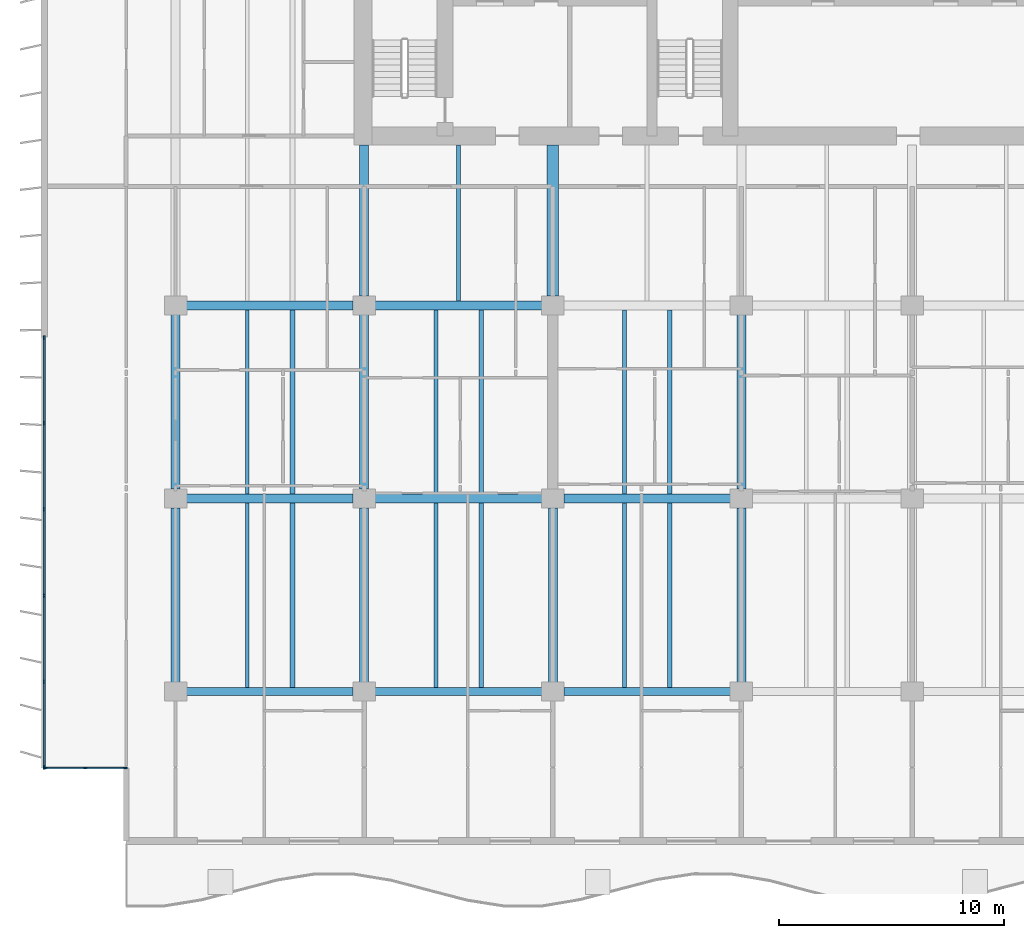
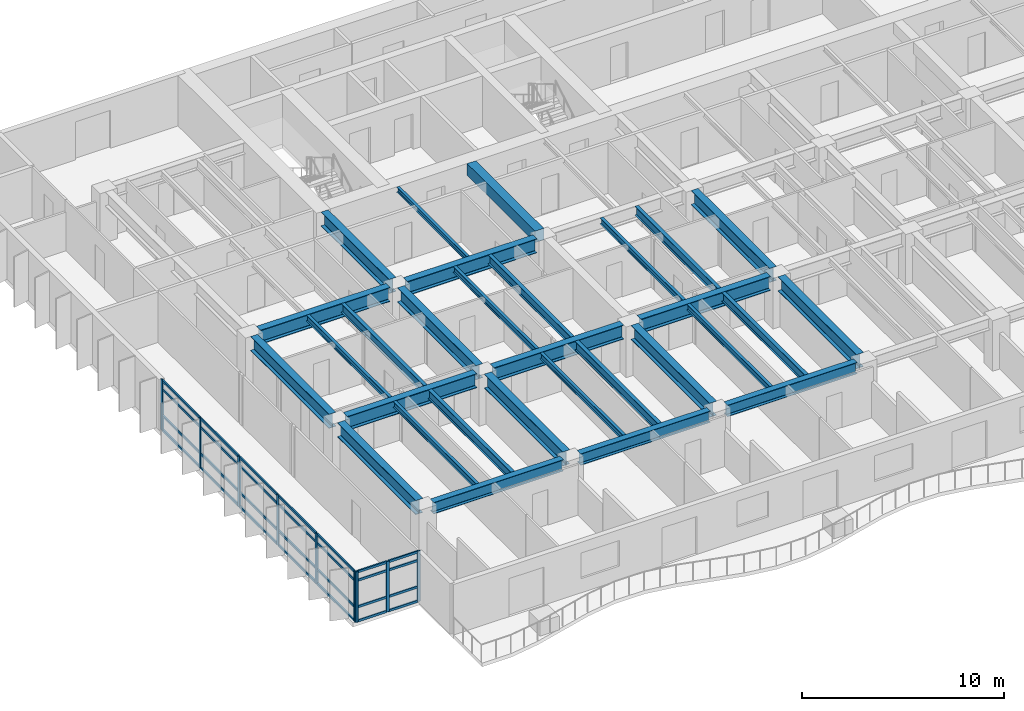
# One storey, part 2 of 18: 37 members, 30 beams, 2 elements without a shape of their own.
"""IFC4 building model written with IfcOpenShell, lengths in metres."""

import ifcopenshell
import ifcopenshell.guid

model = None  # the IFC model being written
_history = None  # IfcOwnerHistory: only IFC2X3 demands one
_inside = {}  # id of a spatial element -> (the spatial element, [elements in it])
_under = {}  # id of a project, library or spatial element -> (it, [spatial elements below it])
_declared = {}  # id of a project -> (the project, [libraries it declares])
_typed = {}  # id of a type object -> (the type object, [elements of that type])
_made_of = {}  # id of a material, layer set ... -> (it, [elements and type objects made of it])


def new_model(schema):
    """Start an empty IFC model of exactly this schema.

    Asked for "IFC4X3", IfcOpenShell would pick the latest addendum, in which some entities
    have other attributes; the version numbers below select the first issue.
    IFC2X3 requires an IfcOwnerHistory on every rooted entity: one is made here for all.
    """
    global model, _history
    if schema == "IFC4X3":
        model = ifcopenshell.file(schema_version=(4, 3, 0, 0))
    else:
        model = ifcopenshell.file(schema=schema)
    _inside.clear()
    _under.clear()
    _declared.clear()
    _typed.clear()
    _made_of.clear()
    _history = None
    if model.schema == "IFC2X3":
        org = make("IfcOrganization", Name="unknown")
        user = make(
            "IfcPersonAndOrganization",
            ThePerson=make("IfcPerson", FamilyName="unknown"),
            TheOrganization=org,
        )
        app = make(
            "IfcApplication",
            ApplicationDeveloper=org,
            Version="unknown",
            ApplicationFullName="unknown",
            ApplicationIdentifier="unknown",
        )
        _history = make(
            "IfcOwnerHistory",
            OwningUser=user,
            OwningApplication=app,
            ChangeAction="ADDED",
            CreationDate=0,
        )
    return model


def make(cls, **values):
    """One entity of the class cls with the attributes given. An attribute that is None is left unset."""
    return model.create_entity(
        cls, **{name: value for name, value in values.items() if value is not None}
    )


def rooted(cls, **values):
    """An entity with a GlobalId (a new one), such as an element, a storey or a relation."""
    return make(cls, GlobalId=ifcopenshell.guid.new(), OwnerHistory=_history, **values)


def si_unit(unit_type, name, prefix=None):
    """IfcSIUnit, for example si_unit("LENGTHUNIT", "METRE", prefix="MILLI")."""
    return make("IfcSIUnit", UnitType=unit_type, Prefix=prefix, Name=name)


def assignment(units):
    """IfcUnitAssignment: the units of a project."""
    return None if units is None else make("IfcUnitAssignment", Units=units)


def point(xyz):
    """IfcCartesianPoint."""
    return None if xyz is None else make("IfcCartesianPoint", Coordinates=xyz)


def direction(xyz):
    """IfcDirection."""
    return None if xyz is None else make("IfcDirection", DirectionRatios=xyz)


def frame(location, z_axis=None, x_axis=None):
    """IfcAxis2Placement3D, a coordinate frame: its origin and axes. An axis left out is left unset."""
    return make(
        "IfcAxis2Placement3D",
        Location=point(location),
        Axis=direction(z_axis),
        RefDirection=direction(x_axis),
    )


def frame_2d(location, x_axis=None):
    """IfcAxis2Placement2D, a coordinate frame in the plane: its origin and x axis."""
    return make(
        "IfcAxis2Placement2D", Location=point(location), RefDirection=direction(x_axis)
    )


def origin():
    """The frame at (0, 0, 0) with its axes left unset."""
    return frame((0.0, 0.0, 0.0))


def origin_2d():
    """The frame at (0, 0) in the plane with its x axis left unset."""
    return frame_2d((0.0, 0.0))


def place(relative_to, where):
    """IfcLocalPlacement: puts the frame where relative to a parent placement (None: the world)."""
    return make(
        "IfcLocalPlacement", PlacementRelTo=relative_to, RelativePlacement=where
    )


def context(
    kind, dimensions, precision=None, world=None, true_north=None, identifier=None
):
    """IfcGeometricRepresentationContext, for example the 3D "Model" context."""
    return make(
        "IfcGeometricRepresentationContext",
        ContextIdentifier=identifier,
        ContextType=kind,
        CoordinateSpaceDimension=dimensions,
        Precision=precision,
        WorldCoordinateSystem=world,
        TrueNorth=true_north,
    )


def subcontext(parent, identifier, kind, view, scale=None):
    """IfcGeometricRepresentationSubContext, for example "Body" below "Model"."""
    return make(
        "IfcGeometricRepresentationSubContext",
        ContextIdentifier=identifier,
        ContextType=kind,
        ParentContext=parent,
        TargetScale=scale,
        TargetView=view,
    )


def project(units=None, contexts=None):
    """IfcProject with its units and contexts."""
    return rooted(
        "IfcProject",
        Name="project",
        RepresentationContexts=contexts,
        UnitsInContext=assignment(units),
    )


def spatial(cls, under=None, at=None, **own):
    """A site, building, storey or space (cls), placed at a placement, below another one or the project."""
    s = rooted(cls, ObjectPlacement=at, **own)
    if under is not None:
        _under.setdefault(under.id(), (under, []))[1].append(s)
    return s


def profile(cls, at=None, kind="AREA", **sizes):
    """A parametric profile (cls). Its sizes go by their IFC names, for example OverallWidth=200.0."""
    return make(cls, ProfileType=kind, Position=at, **sizes)


def rectangle(**sizes):
    """IfcRectangleProfileDef."""
    return profile("IfcRectangleProfileDef", **sizes)


def i_section(**sizes):
    """IfcIShapeProfileDef."""
    return profile("IfcIShapeProfileDef", **sizes)


def extrude(swept, where, along, depth):
    """IfcExtrudedAreaSolid: the profile swept, set in the frame where, extruded along a direction by depth."""
    return make(
        "IfcExtrudedAreaSolid",
        SweptArea=swept,
        Position=where,
        ExtrudedDirection=direction(along),
        Depth=depth,
    )


def shape(context_of_items, identifier, shape_type, items):
    """IfcShapeRepresentation: the items that make up one representation, for example the "Body"."""
    return make(
        "IfcShapeRepresentation",
        ContextOfItems=context_of_items,
        RepresentationIdentifier=identifier,
        RepresentationType=shape_type,
        Items=items,
    )


def material(Name=None, Category=None):
    """IfcMaterial."""
    return make("IfcMaterial", Name=Name, Category=Category)


def layer(
    of_material, thickness, ventilated=None, Name=None, Category=None, Priority=None
):
    """IfcMaterialLayer: one layer of a wall or slab, of a material (None: an air gap)."""
    return make(
        "IfcMaterialLayer",
        Material=of_material,
        LayerThickness=thickness,
        IsVentilated=ventilated,
        Name=Name,
        Category=Category,
        Priority=Priority,
    )


def layer_set(layers, Name=None):
    """IfcMaterialLayerSet."""
    return make("IfcMaterialLayerSet", MaterialLayers=layers, LayerSetName=Name)


def material_profile(
    of_material, cross_section, Name=None, Category=None, Priority=None
):
    """IfcMaterialProfile: a cross section and its material."""
    return make(
        "IfcMaterialProfile",
        Name=Name,
        Material=of_material,
        Profile=cross_section,
        Priority=Priority,
        Category=Category,
    )


def profile_set(profiles, Name=None, composite=None):
    """IfcMaterialProfileSet."""
    return make(
        "IfcMaterialProfileSet",
        Name=Name,
        MaterialProfiles=profiles,
        CompositeProfile=composite,
    )


def made_of(thing, what):
    """Note that an element or type object is made of a material, layer set ...; save() writes the relation."""
    if what is not None:
        _made_of.setdefault(what.id(), (what, []))[1].append(thing)
    return thing


def type_object(cls, material=None, **own):
    """A type object (cls), such as IfcWallType, which elements share."""
    return made_of(rooted(cls, **own), material)


def element(
    cls,
    number,
    at=None,
    inside=None,
    cuts=None,
    type_object=None,
    material=None,
    context=None,
    identifier="Body",
    shape_type=None,
    held_by="IfcProductDefinitionShape",
    body=None,
    shapes=None,
    **own,
):
    """One element of the class cls, such as IfcWall. Its Tag is "e" and its number.

    at: its placement. inside: the storey or other place that contains it. cuts: it is an
    opening in that element (IfcRelVoidsElement). A single representation is given by context,
    identifier, shape_type and body (its items); several are given by shapes. held_by: the class
    of the entity that holds the representations. save() writes the other relations.
    """
    e = rooted(cls, Tag="e%d" % number, ObjectPlacement=at, **own)
    if body is not None:
        shapes = [shape(context, identifier, shape_type, body)]
    if shapes is not None:
        e.Representation = make(held_by, Representations=shapes)
    if inside is not None:
        _inside.setdefault(inside.id(), (inside, []))[1].append(e)
    if cuts is not None:
        rooted(
            "IfcRelVoidsElement", RelatingBuildingElement=cuts, RelatedOpeningElement=e
        )
    if type_object is not None:
        _typed.setdefault(type_object.id(), (type_object, []))[1].append(e)
    return made_of(e, material)


def aggregate(whole, parts):
    """IfcRelAggregates: a whole, such as a stair, and the parts it consists of."""
    return rooted("IfcRelAggregates", RelatingObject=whole, RelatedObjects=parts)


def save(model, path):
    """Write the relations noted so far, then the file.

    IfcRelAggregates (storeys below a building ...), IfcRelContainedInSpatialStructure (elements
    in a storey), IfcRelDefinesByType, IfcRelAssociatesMaterial and IfcRelDeclares: one each for
    every whole, place, type object, material and project.
    """
    for whole, parts in _under.values():
        aggregate(whole, parts)
    for where, things in _inside.values():
        rooted(
            "IfcRelContainedInSpatialStructure",
            RelatedElements=things,
            RelatingStructure=where,
        )
    for kind, things in _typed.values():
        rooted("IfcRelDefinesByType", RelatedObjects=things, RelatingType=kind)
    for what, things in _made_of.values():
        rooted("IfcRelAssociatesMaterial", RelatedObjects=things, RelatingMaterial=what)
    for by, libraries in _declared.values():
        rooted("IfcRelDeclares", RelatingContext=by, RelatedDefinitions=libraries)
    model.write(path)


model = new_model("IFC4")

# Units and contexts
model_context = context("Model", 3, precision=1e-05, world=origin(), true_north=direction((0.0, 1.0)))
body_context = subcontext(model_context, "Body", "Model", "MODEL_VIEW")
ifc_project = project(units=[si_unit("LENGTHUNIT", "METRE"), si_unit("AREAUNIT", "SQUARE_METRE"), si_unit("VOLUMEUNIT", "CUBIC_METRE"), si_unit("PLANEANGLEUNIT", "RADIAN"), si_unit("MASSUNIT", "GRAM", prefix="KILO")], contexts=[model_context])

# Site, building, storey
site_placement = place(None, origin())
site = spatial("IfcSite", under=ifc_project, at=site_placement, CompositionType="ELEMENT")
building_placement = place(site_placement, origin())
building = spatial("IfcBuilding", under=site, at=building_placement, Name="Caelmar Bay Residences", CompositionType="ELEMENT")
storey_placement = place(building_placement, frame((0.0, 0.0, 129.0)))
storey = spatial("IfcBuildingStorey", under=building, at=storey_placement, Name="L35", CompositionType="ELEMENT", Elevation=129.0)

# Beams
ifc_material_1 = material(Name="Steel ASTM A992 Grade 50", Category="steel")
ifc_material_profile_1 = material_profile(ifc_material_1, i_section(OverallWidth=0.40087890625, OverallDepth=0.861083984375, WebThickness=0.019775390625, FlangeThickness=0.032470703125, FilletRadius=0.017822265625, at=origin_2d()), Name="W33X221")
ifc_profile_set_1 = profile_set([ifc_material_profile_1], Name="Steel ASTM A992 Grade 50")
beam_type_1 = type_object("IfcBeamType", Name="BM-GRD-W33X221", PredefinedType="BEAM", material=ifc_profile_set_1)
beam_1_placement = place(storey_placement, frame((10.389892578125, 20.800048828125, 2.619384765625), z_axis=(1.0, 0.0, 0.0), x_axis=(0.0, 1.0, 0.0)))
element("IfcBeam", 1, at=beam_1_placement, inside=storey, type_object=beam_type_1, Name="L35 East-West Girder Y=20.80 (9.9-18.3)", PredefinedType="BEAM", context=body_context, shape_type="SweptSolid", body=[
    extrude(i_section(OverallWidth=0.40087890625, OverallDepth=0.861083984375, WebThickness=0.019775390625, FlangeThickness=0.032470703125, FilletRadius=0.017822265625, at=origin_2d()), origin(), (0.0, 0.0, 1.0), 7.420166015625),
])
beam_2_placement = place(storey_placement, frame((18.7900390625, 20.800048828125, 2.619384765625), z_axis=(1.0, 0.0, 0.0), x_axis=(0.0, 1.0, 0.0)))
element("IfcBeam", 2, at=beam_2_placement, inside=storey, type_object=beam_type_1, Name="L35 East-West Girder Y=20.80 (18.3-26.7)", PredefinedType="BEAM", context=body_context, shape_type="SweptSolid", body=[
    extrude(i_section(OverallWidth=0.40087890625, OverallDepth=0.861083984375, WebThickness=0.019775390625, FlangeThickness=0.032470703125, FilletRadius=0.017822265625, at=origin_2d()), origin(), (0.0, 0.0, 1.0), 7.419921875),
])
for number, where, z_axis, x_axis, name in (
    (3, (27.18994140625, 20.800048828125, 2.619384765625), (1.0, 0.0, 0.0), (0.0, 1.0, 0.0), "L35 East-West Girder Y=20.80 (26.7-35.1)"),
    (4, (10.389892578125, 29.39990234375, 2.619384765625), (1.0, 0.0, 0.0), (0.0, 1.0, 0.0), "L35 East-West Girder Y=29.40 (9.9-18.3)"),
):
    element("IfcBeam", number, at=place(storey_placement, frame(where, z_axis=z_axis, x_axis=x_axis)), inside=storey, type_object=beam_type_1, Name=name, PredefinedType="BEAM", context=body_context, shape_type="SweptSolid", body=[
        extrude(i_section(OverallWidth=0.40087890625, OverallDepth=0.861083984375, WebThickness=0.019775390625, FlangeThickness=0.032470703125, FilletRadius=0.017822265625, at=origin_2d()), origin(), (0.0, 0.0, 1.0), 7.420166015625),
    ])
beam_3_placement = place(storey_placement, frame((18.7900390625, 29.39990234375, 2.619384765625), z_axis=(1.0, 0.0, 0.0), x_axis=(0.0, 1.0, 0.0)))
element("IfcBeam", 5, at=beam_3_placement, inside=storey, type_object=beam_type_1, Name="L35 East-West Girder Y=29.40 (18.3-26.7)", PredefinedType="BEAM", context=body_context, shape_type="SweptSolid", body=[
    extrude(i_section(OverallWidth=0.40087890625, OverallDepth=0.861083984375, WebThickness=0.019775390625, FlangeThickness=0.032470703125, FilletRadius=0.017822265625, at=origin_2d()), origin(), (0.0, 0.0, 1.0), 7.419921875),
])
for number, where, z_axis, x_axis, name in (
    (6, (9.89990234375, 12.614990234375, 2.619384765625), (0.0, 1.0, 0.0), (-1.0, 0.0, 0.0), "L35 North-South Girder X=9.90 (12.2-20.8)"),
    (7, (9.89990234375, 21.215087890625, 2.619384765625), (0.0, 1.0, 0.0), (-1.0, 0.0, 0.0), "L35 North-South Girder X=9.90 (20.8-29.4)"),
):
    element("IfcBeam", number, at=place(storey_placement, frame(where, z_axis=z_axis, x_axis=x_axis)), inside=storey, type_object=beam_type_1, Name=name, PredefinedType="BEAM", context=body_context, shape_type="SweptSolid", body=[
        extrude(i_section(OverallWidth=0.40087890625, OverallDepth=0.861083984375, WebThickness=0.019775390625, FlangeThickness=0.032470703125, FilletRadius=0.017822265625, at=origin_2d()), origin(), (0.0, 0.0, 1.0), 7.77001953125),
    ])
beam_4_placement = place(storey_placement, frame((18.300048828125, 29.81494140625, 2.619384765625), z_axis=(0.0, 1.0, 0.0), x_axis=(-1.0, 0.0, 0.0)))
element("IfcBeam", 8, at=beam_4_placement, inside=storey, type_object=beam_type_1, Name="L35 Core Tie Girder X=18.30", PredefinedType="BEAM", context=body_context, shape_type="SweptSolid", body=[
    extrude(i_section(OverallWidth=0.40087890625, OverallDepth=0.861083984375, WebThickness=0.019775390625, FlangeThickness=0.032470703125, FilletRadius=0.017822265625, at=origin_2d()), origin(), (0.0, 0.0, 1.0), 6.735107421875),
])
for number, where, z_axis, x_axis, name in (
    (9, (18.300048828125, 12.614990234375, 2.619384765625), (0.0, 1.0, 0.0), (-1.0, 0.0, 0.0), "L35 North-South Girder X=18.30 (12.2-20.8)"),
    (10, (18.300048828125, 21.215087890625, 2.619384765625), (0.0, 1.0, 0.0), (-1.0, 0.0, 0.0), "L35 North-South Girder X=18.30 (20.8-29.4)"),
    (11, (26.699951171875, 12.614990234375, 2.619384765625), (0.0, 1.0, 0.0), (-1.0, 0.0, 0.0), "L35 North-South Girder X=26.70 (12.2-20.8)"),
    (12, (35.10009765625, 12.614990234375, 2.619384765625), (0.0, 1.0, 0.0), (-1.0, 0.0, 0.0), "L35 North-South Girder X=35.10 (12.2-20.8)"),
    (13, (35.10009765625, 21.215087890625, 2.619384765625), (0.0, 1.0, 0.0), (-1.0, 0.0, 0.0), "L35 North-South Girder X=35.10 (20.8-29.4)"),
):
    element("IfcBeam", number, at=place(storey_placement, frame(where, z_axis=z_axis, x_axis=x_axis)), inside=storey, type_object=beam_type_1, Name=name, PredefinedType="BEAM", context=body_context, shape_type="SweptSolid", body=[
        extrude(i_section(OverallWidth=0.40087890625, OverallDepth=0.861083984375, WebThickness=0.019775390625, FlangeThickness=0.032470703125, FilletRadius=0.017822265625, at=origin_2d()), origin(), (0.0, 0.0, 1.0), 7.77001953125),
    ])
ifc_material_profile_2 = material_profile(ifc_material_1, i_section(OverallWidth=0.1650390625, OverallDepth=0.31005859375, WebThickness=0.005859375, FlangeThickness=0.009765625, FilletRadius=0.007568359375, at=origin_2d()), Name="W12X26")
ifc_profile_set_2 = profile_set([ifc_material_profile_2], Name="Steel ASTM A992 Grade 50")
beam_type_2 = type_object("IfcBeamType", Name="BM-JST-W12X26", PredefinedType="JOIST", material=ifc_profile_set_2)
beam_5_placement = place(storey_placement, frame((22.5, 29.6005859375, 2.89501953125), z_axis=(0.0, 1.0, 0.0), x_axis=(-1.0, 0.0, 0.0)))
element("IfcBeam", 14, at=beam_5_placement, inside=storey, type_object=beam_type_2, Name="L35 Core-Band Composite Joist 29", PredefinedType="JOIST", context=body_context, shape_type="SweptSolid", body=[
    extrude(i_section(OverallWidth=0.1650390625, OverallDepth=0.31005859375, WebThickness=0.005859375, FlangeThickness=0.009765625, FilletRadius=0.007568359375, at=origin_2d()), origin(), (0.0, 0.0, 1.0), 6.949462890625),
])
ifc_material_profile_3 = material_profile(ifc_material_1, i_section(OverallWidth=0.1708984375, OverallDepth=0.35595703125, WebThickness=0.007080078125, FlangeThickness=0.01171875, FilletRadius=0.007568359375, at=origin_2d()), Name="W14X34")
ifc_profile_set_3 = profile_set([ifc_material_profile_3], Name="Steel ASTM A992 Grade 50")
beam_type_3 = type_object("IfcBeamType", Name="BM-JST-W14X34", PredefinedType="JOIST", material=ifc_profile_set_3)
for number, where, z_axis, x_axis, name in (
    (15, (13.092041015625, 12.3779296875, 2.8720703125), (0.0, 1.0, 0.0), (-1.0, 0.0, 0.0), "L35 Composite Floor Joist 1"),
    (16, (21.491943359375, 12.3779296875, 2.8720703125), (0.0, 1.0, 0.0), (-1.0, 0.0, 0.0), "L35 Composite Floor Joist 3"),
    (17, (29.89208984375, 12.3779296875, 2.8720703125), (0.0, 1.0, 0.0), (-1.0, 0.0, 0.0), "L35 Composite Floor Joist 5"),
):
    element("IfcBeam", number, at=place(storey_placement, frame(where, z_axis=z_axis, x_axis=x_axis)), inside=storey, type_object=beam_type_3, Name=name, PredefinedType="JOIST", context=body_context, shape_type="SweptSolid", body=[
        extrude(i_section(OverallWidth=0.1708984375, OverallDepth=0.35595703125, WebThickness=0.007080078125, FlangeThickness=0.01171875, FilletRadius=0.007568359375, at=origin_2d()), origin(), (0.0, 0.0, 1.0), 8.2216796875),
    ])
for number, where, z_axis, x_axis, name in (
    (18, (13.092041015625, 21.00048828125, 2.8720703125), (0.0, 1.0, 0.0), (-1.0, 0.0, 0.0), "L35 Composite Floor Joist 15"),
    (19, (21.491943359375, 21.00048828125, 2.8720703125), (0.0, 1.0, 0.0), (-1.0, 0.0, 0.0), "L35 Composite Floor Joist 17"),
    (20, (29.89208984375, 21.00048828125, 2.8720703125), (0.0, 1.0, 0.0), (-1.0, 0.0, 0.0), "L35 Composite Floor Joist 19"),
):
    element("IfcBeam", number, at=place(storey_placement, frame(where, z_axis=z_axis, x_axis=x_axis)), inside=storey, type_object=beam_type_3, Name=name, PredefinedType="JOIST", context=body_context, shape_type="SweptSolid", body=[
        extrude(i_section(OverallWidth=0.1708984375, OverallDepth=0.35595703125, WebThickness=0.007080078125, FlangeThickness=0.01171875, FilletRadius=0.007568359375, at=origin_2d()), origin(), (0.0, 0.0, 1.0), 8.198974609375),
    ])
ifc_material_profile_4 = material_profile(ifc_material_1, i_section(OverallWidth=0.2099609375, OverallDepth=0.535888671875, WebThickness=0.010986328125, FlangeThickness=0.017333984375, FilletRadius=0.0126953125, at=origin_2d()), Name="W21X68")
ifc_profile_set_4 = profile_set([ifc_material_profile_4], Name="Steel ASTM A992 Grade 50")
beam_type_4 = type_object("IfcBeamType", Name="BM-JST-W21X68", PredefinedType="JOIST", material=ifc_profile_set_4)
for number, where, z_axis, x_axis, name in (
    (21, (15.10791015625, 12.3779296875, 2.781982421875), (0.0, 1.0, 0.0), (-1.0, 0.0, 0.0), "L35 Composite Floor Joist 2"),
    (22, (23.508056640625, 12.3779296875, 2.781982421875), (0.0, 1.0, 0.0), (-1.0, 0.0, 0.0), "L35 Composite Floor Joist 4"),
    (23, (31.907958984375, 12.3779296875, 2.781982421875), (0.0, 1.0, 0.0), (-1.0, 0.0, 0.0), "L35 Composite Floor Joist 6"),
):
    element("IfcBeam", number, at=place(storey_placement, frame(where, z_axis=z_axis, x_axis=x_axis)), inside=storey, type_object=beam_type_4, Name=name, PredefinedType="JOIST", context=body_context, shape_type="SweptSolid", body=[
        extrude(i_section(OverallWidth=0.2099609375, OverallDepth=0.535888671875, WebThickness=0.010986328125, FlangeThickness=0.017333984375, FilletRadius=0.0126953125, at=origin_2d()), origin(), (0.0, 0.0, 1.0), 8.2216796875),
    ])
for number, where, z_axis, x_axis, name in (
    (24, (15.10791015625, 21.00048828125, 2.781982421875), (0.0, 1.0, 0.0), (-1.0, 0.0, 0.0), "L35 Composite Floor Joist 16"),
    (25, (23.508056640625, 21.00048828125, 2.781982421875), (0.0, 1.0, 0.0), (-1.0, 0.0, 0.0), "L35 Composite Floor Joist 18"),
    (26, (31.907958984375, 21.00048828125, 2.781982421875), (0.0, 1.0, 0.0), (-1.0, 0.0, 0.0), "L35 Composite Floor Joist 20"),
):
    element("IfcBeam", number, at=place(storey_placement, frame(where, z_axis=z_axis, x_axis=x_axis)), inside=storey, type_object=beam_type_4, Name=name, PredefinedType="JOIST", context=body_context, shape_type="SweptSolid", body=[
        extrude(i_section(OverallWidth=0.2099609375, OverallDepth=0.535888671875, WebThickness=0.010986328125, FlangeThickness=0.017333984375, FilletRadius=0.0126953125, at=origin_2d()), origin(), (0.0, 0.0, 1.0), 8.198974609375),
    ])
ifc_material_2 = material(Name="Concrete f'c 55 MPa (8,000 psi)", Category="concrete")
ifc_material_profile_5 = material_profile(ifc_material_2, rectangle(XDim=0.5, YDim=0.699951171875, at=origin_2d()), Name="RC-BM-500X700")
ifc_profile_set_5 = profile_set([ifc_material_profile_5], Name="Concrete f'c 55 MPa (8,000 psi)")
beam_type_5 = type_object("IfcBeamType", Name="BM-RC-500X700", PredefinedType="LINTEL", material=ifc_profile_set_5)
beam_6_placement = place(storey_placement, frame((26.699951171875, 29.81494140625, 2.699951171875), z_axis=(0.0, 1.0, 0.0), x_axis=(-1.0, 0.0, 0.0)))
element("IfcBeam", 27, at=beam_6_placement, inside=storey, type_object=beam_type_5, Name="L35 Shear-Wall Corridor Coupling Lintel W5", PredefinedType="LINTEL", context=body_context, shape_type="SweptSolid", body=[
    extrude(rectangle(XDim=0.5, YDim=0.699951171875, at=origin_2d()), origin(), (0.0, 0.0, 1.0), 6.735107421875),
])
ifc_material_profile_6 = material_profile(ifc_material_1, i_section(OverallWidth=0.35595703125, OverallDepth=0.696044921875, WebThickness=0.015380859375, FlangeThickness=0.02490234375, FilletRadius=0.01513671875, at=origin_2d()), Name="W27X146")
ifc_profile_set_6 = profile_set([ifc_material_profile_6], Name="Steel ASTM A992 Grade 50")
beam_type_6 = type_object("IfcBeamType", Name="BM-SPN-W27X146", PredefinedType="SPANDREL", material=ifc_profile_set_6)
beam_7_placement = place(storey_placement, frame((10.389892578125, 12.199951171875, 2.701904296875), z_axis=(1.0, 0.0, 0.0), x_axis=(0.0, 1.0, 0.0)))
element("IfcBeam", 28, at=beam_7_placement, inside=storey, type_object=beam_type_6, Name="L35 East-West Girder Y=12.20 (9.9-18.3)", PredefinedType="SPANDREL", context=body_context, shape_type="SweptSolid", body=[
    extrude(i_section(OverallWidth=0.35595703125, OverallDepth=0.696044921875, WebThickness=0.015380859375, FlangeThickness=0.02490234375, FilletRadius=0.01513671875, at=origin_2d()), origin(), (0.0, 0.0, 1.0), 7.420166015625),
])
beam_8_placement = place(storey_placement, frame((18.7900390625, 12.199951171875, 2.701904296875), z_axis=(1.0, 0.0, 0.0), x_axis=(0.0, 1.0, 0.0)))
element("IfcBeam", 29, at=beam_8_placement, inside=storey, type_object=beam_type_6, Name="L35 East-West Girder Y=12.20 (18.3-26.7)", PredefinedType="SPANDREL", context=body_context, shape_type="SweptSolid", body=[
    extrude(i_section(OverallWidth=0.35595703125, OverallDepth=0.696044921875, WebThickness=0.015380859375, FlangeThickness=0.02490234375, FilletRadius=0.01513671875, at=origin_2d()), origin(), (0.0, 0.0, 1.0), 7.419921875),
])
beam_9_placement = place(storey_placement, frame((27.18994140625, 12.199951171875, 2.701904296875), z_axis=(1.0, 0.0, 0.0), x_axis=(0.0, 1.0, 0.0)))
element("IfcBeam", 30, at=beam_9_placement, inside=storey, type_object=beam_type_6, Name="L35 East-West Girder Y=12.20 (26.7-35.1)", PredefinedType="SPANDREL", context=body_context, shape_type="SweptSolid", body=[
    extrude(i_section(OverallWidth=0.35595703125, OverallDepth=0.696044921875, WebThickness=0.015380859375, FlangeThickness=0.02490234375, FilletRadius=0.01513671875, at=origin_2d()), origin(), (0.0, 0.0, 1.0), 7.420166015625),
])

# Curtain wall, members
ifc_material_3 = material(Name="Anodised bronze aluminium 6063-T6 and laminated glass", Category="aluminium")
ifc_layer_1 = layer(ifc_material_3, 0.179931640625)
ifc_layer_set_1 = layer_set([ifc_layer_1], Name="Anodised bronze aluminium 6063-T6 and laminated glass")
curtain_wall_type_1 = type_object("IfcCurtainWallType", Name="CW6-NTC", PredefinedType="NOTDEFINED", material=ifc_layer_set_1)
curtain_wall_1_placement = place(storey_placement, origin())
curtain_wall_1 = element("IfcCurtainWall", 31, at=curtain_wall_1_placement, inside=storey, type_object=curtain_wall_type_1, Name="CW6 curtain wall L35", PredefinedType="NOTDEFINED")
ifc_material_4 = material(Name="Anodised bronze aluminium 6063-T6", Category="aluminium")
ifc_material_profile_7 = material_profile(ifc_material_4, rectangle(XDim=0.080078125, YDim=0.179931640625, at=origin_2d()), Name="CWM-80X180")
ifc_profile_set_7 = profile_set([ifc_material_profile_7], Name="Anodised bronze aluminium 6063-T6")
member_type_1 = type_object("IfcMemberType", Name="CWM-180", PredefinedType="MULLION", material=ifc_profile_set_7)
member_1_placement = place(storey_placement, frame((4.090087890625, 8.800048828125, 0.0), z_axis=(0.0, 0.0, 1.0), x_axis=(0.0, 1.0, 0.0)))
member_1 = element("IfcMember", 32, at=member_1_placement, type_object=member_type_1, Name="CW6 mullion 1", PredefinedType="MULLION", context=body_context, shape_type="SweptSolid", body=[
    extrude(rectangle(XDim=0.080078125, YDim=0.179931640625, at=origin_2d()), origin(), (0.0, 0.0, 1.0), 3.050048828125),
])
member_2_placement = place(storey_placement, frame((5.875, 8.800048828125, 0.0), z_axis=(0.0, 0.0, 1.0), x_axis=(0.0, 1.0, 0.0)))
member_2 = element("IfcMember", 33, at=member_2_placement, type_object=member_type_1, Name="CW6 mullion 2", PredefinedType="MULLION", context=body_context, shape_type="SweptSolid", body=[
    extrude(rectangle(XDim=0.080078125, YDim=0.179931640625, at=origin_2d()), origin(), (0.0, 0.0, 1.0), 3.050048828125),
])
member_3_placement = place(storey_placement, frame((7.659912109375, 8.800048828125, 0.0), z_axis=(0.0, 0.0, 1.0), x_axis=(0.0, 1.0, 0.0)))
member_3 = element("IfcMember", 34, at=member_3_placement, type_object=member_type_1, Name="CW6 mullion 3", PredefinedType="MULLION", context=body_context, shape_type="SweptSolid", body=[
    extrude(rectangle(XDim=0.080078125, YDim=0.179931640625, at=origin_2d()), origin(), (0.0, 0.0, 1.0), 3.050048828125),
])

ifc_layer_2 = layer(ifc_material_3, 0.179931640625)
ifc_layer_set_2 = layer_set([ifc_layer_2], Name="Anodised bronze aluminium 6063-T6 and laminated glass")
curtain_wall_type_2 = type_object("IfcCurtainWallType", Name="CW3-Z2", PredefinedType="NOTDEFINED", material=ifc_layer_set_2)
curtain_wall_2_placement = place(storey_placement, origin())
curtain_wall_2 = element("IfcCurtainWall", 35, at=curtain_wall_2_placement, inside=storey, type_object=curtain_wall_type_2, Name="CW3 curtain wall L35", PredefinedType="NOTDEFINED")
member_4_placement = place(storey_placement, frame((4.050048828125, 8.840087890625, 0.0), z_axis=(0.0, 0.0, 1.0), x_axis=(-1.0, 0.0, 0.0)))
member_4 = element("IfcMember", 36, at=member_4_placement, type_object=member_type_1, Name="CW3 mullion 1", PredefinedType="MULLION", context=body_context, shape_type="SweptSolid", body=[
    extrude(rectangle(XDim=0.080078125, YDim=0.179931640625, at=origin_2d()), origin(), (0.0, 0.0, 1.0), 3.050048828125),
])
member_5_placement = place(storey_placement, frame((4.050048828125, 12.639892578125, 0.0), z_axis=(0.0, 0.0, 1.0), x_axis=(-1.0, 0.0, 0.0)))
member_5 = element("IfcMember", 37, at=member_5_placement, type_object=member_type_1, Name="CW3 mullion 2", PredefinedType="MULLION", context=body_context, shape_type="SweptSolid", body=[
    extrude(rectangle(XDim=0.080078125, YDim=0.179931640625, at=origin_2d()), origin(), (0.0, 0.0, 1.0), 3.050048828125),
])
member_6_placement = place(storey_placement, frame((4.050048828125, 16.47998046875, 0.0), z_axis=(0.0, 0.0, 1.0), x_axis=(-1.0, 0.0, 0.0)))
member_6 = element("IfcMember", 38, at=member_6_placement, type_object=member_type_1, Name="CW3 mullion 3", PredefinedType="MULLION", context=body_context, shape_type="SweptSolid", body=[
    extrude(rectangle(XDim=0.080078125, YDim=0.179931640625, at=origin_2d()), origin(), (0.0, 0.0, 1.0), 3.050048828125),
])
member_7_placement = place(storey_placement, frame((4.050048828125, 20.320068359375, 0.0), z_axis=(0.0, 0.0, 1.0), x_axis=(-1.0, 0.0, 0.0)))
member_7 = element("IfcMember", 39, at=member_7_placement, type_object=member_type_1, Name="CW3 mullion 4", PredefinedType="MULLION", context=body_context, shape_type="SweptSolid", body=[
    extrude(rectangle(XDim=0.080078125, YDim=0.179931640625, at=origin_2d()), origin(), (0.0, 0.0, 1.0), 3.050048828125),
])
member_8_placement = place(storey_placement, frame((4.050048828125, 24.159912109375, 0.0), z_axis=(0.0, 0.0, 1.0), x_axis=(-1.0, 0.0, 0.0)))
member_8 = element("IfcMember", 40, at=member_8_placement, type_object=member_type_1, Name="CW3 mullion 5", PredefinedType="MULLION", context=body_context, shape_type="SweptSolid", body=[
    extrude(rectangle(XDim=0.080078125, YDim=0.179931640625, at=origin_2d()), origin(), (0.0, 0.0, 1.0), 3.050048828125),
])
member_9_placement = place(storey_placement, frame((4.050048828125, 27.9599609375, 0.0), z_axis=(0.0, 0.0, 1.0), x_axis=(-1.0, 0.0, 0.0)))
member_9 = element("IfcMember", 41, at=member_9_placement, type_object=member_type_1, Name="CW3 mullion 6", PredefinedType="MULLION", context=body_context, shape_type="SweptSolid", body=[
    extrude(rectangle(XDim=0.080078125, YDim=0.179931640625, at=origin_2d()), origin(), (0.0, 0.0, 1.0), 3.050048828125),
])

# Member
ifc_material_profile_8 = material_profile(ifc_material_4, rectangle(XDim=0.080078125, YDim=0.139892578125, at=origin_2d()), Name="CWT-80X140")
ifc_profile_set_8 = profile_set([ifc_material_profile_8], Name="Anodised bronze aluminium 6063-T6")
member_type_2 = type_object("IfcMemberType", Name="CWT-140", PredefinedType="NOTDEFINED", material=ifc_profile_set_8)
member_10_placement = place(storey_placement, frame((4.1298828125, 8.800048828125, 0.0400390625), z_axis=(1.0, 0.0, 0.0), x_axis=(0.0, 1.0, 0.0)))
member_10 = element("IfcMember", 42, at=member_10_placement, type_object=member_type_2, Name="CW6 transom 1.1", ObjectType="TRANSOM", PredefinedType="USERDEFINED", context=body_context, shape_type="SweptSolid", body=[
    extrude(rectangle(XDim=0.080078125, YDim=0.139892578125, at=origin_2d()), origin(), (0.0, 0.0, 1.0), 1.705078125),
])

member_11_placement = place(storey_placement, frame((4.1298828125, 8.800048828125, 0.89990234375), z_axis=(1.0, 0.0, 0.0), x_axis=(0.0, 1.0, 0.0)))
member_11 = element("IfcMember", 43, at=member_11_placement, type_object=member_type_2, Name="CW6 transom 1.2", ObjectType="TRANSOM", PredefinedType="USERDEFINED", context=body_context, shape_type="SweptSolid", body=[
    extrude(rectangle(XDim=0.080078125, YDim=0.139892578125, at=origin_2d()), origin(), (0.0, 0.0, 1.0), 1.705078125),
])

member_12_placement = place(storey_placement, frame((4.1298828125, 8.800048828125, 2.5), z_axis=(1.0, 0.0, 0.0), x_axis=(0.0, 1.0, 0.0)))
member_12 = element("IfcMember", 44, at=member_12_placement, type_object=member_type_2, Name="CW6 transom 1.3", ObjectType="TRANSOM", PredefinedType="USERDEFINED", context=body_context, shape_type="SweptSolid", body=[
    extrude(rectangle(XDim=0.080078125, YDim=0.139892578125, at=origin_2d()), origin(), (0.0, 0.0, 1.0), 1.705078125),
])

member_13_placement = place(storey_placement, frame((4.1298828125, 8.800048828125, 3.010009765625), z_axis=(1.0, 0.0, 0.0), x_axis=(0.0, 1.0, 0.0)))
member_13 = element("IfcMember", 45, at=member_13_placement, type_object=member_type_2, Name="CW6 transom 1.4", ObjectType="TRANSOM", PredefinedType="USERDEFINED", context=body_context, shape_type="SweptSolid", body=[
    extrude(rectangle(XDim=0.080078125, YDim=0.139892578125, at=origin_2d()), origin(), (0.0, 0.0, 1.0), 1.705078125),
])

member_14_placement = place(storey_placement, frame((5.9150390625, 8.800048828125, 0.0400390625), z_axis=(1.0, 0.0, 0.0), x_axis=(0.0, 1.0, 0.0)))
member_14 = element("IfcMember", 46, at=member_14_placement, type_object=member_type_2, Name="CW6 transom 2.1", ObjectType="TRANSOM", PredefinedType="USERDEFINED", context=body_context, shape_type="SweptSolid", body=[
    extrude(rectangle(XDim=0.080078125, YDim=0.139892578125, at=origin_2d()), origin(), (0.0, 0.0, 1.0), 1.705078125),
])

member_15_placement = place(storey_placement, frame((5.9150390625, 8.800048828125, 0.89990234375), z_axis=(1.0, 0.0, 0.0), x_axis=(0.0, 1.0, 0.0)))
member_15 = element("IfcMember", 47, at=member_15_placement, type_object=member_type_2, Name="CW6 transom 2.2", ObjectType="TRANSOM", PredefinedType="USERDEFINED", context=body_context, shape_type="SweptSolid", body=[
    extrude(rectangle(XDim=0.080078125, YDim=0.139892578125, at=origin_2d()), origin(), (0.0, 0.0, 1.0), 1.705078125),
])

member_16_placement = place(storey_placement, frame((5.9150390625, 8.800048828125, 2.5), z_axis=(1.0, 0.0, 0.0), x_axis=(0.0, 1.0, 0.0)))
member_16 = element("IfcMember", 48, at=member_16_placement, type_object=member_type_2, Name="CW6 transom 2.3", ObjectType="TRANSOM", PredefinedType="USERDEFINED", context=body_context, shape_type="SweptSolid", body=[
    extrude(rectangle(XDim=0.080078125, YDim=0.139892578125, at=origin_2d()), origin(), (0.0, 0.0, 1.0), 1.705078125),
])

member_17_placement = place(storey_placement, frame((5.9150390625, 8.800048828125, 3.010009765625), z_axis=(1.0, 0.0, 0.0), x_axis=(0.0, 1.0, 0.0)))
member_17 = element("IfcMember", 49, at=member_17_placement, type_object=member_type_2, Name="CW6 transom 2.4", ObjectType="TRANSOM", PredefinedType="USERDEFINED", context=body_context, shape_type="SweptSolid", body=[
    extrude(rectangle(XDim=0.080078125, YDim=0.139892578125, at=origin_2d()), origin(), (0.0, 0.0, 1.0), 1.705078125),
])

aggregate(curtain_wall_1, [member_1, member_2, member_3, member_10, member_11, member_12, member_13, member_14, member_15, member_16, member_17])

member_18_placement = place(storey_placement, frame((4.050048828125, 8.8798828125, 0.0400390625), z_axis=(0.0, 1.0, 0.0), x_axis=(-1.0, 0.0, 0.0)))
member_18 = element("IfcMember", 50, at=member_18_placement, type_object=member_type_2, Name="CW3 transom 1.1", ObjectType="TRANSOM", PredefinedType="USERDEFINED", context=body_context, shape_type="SweptSolid", body=[
    extrude(rectangle(XDim=0.080078125, YDim=0.139892578125, at=origin_2d()), origin(), (0.0, 0.0, 1.0), 3.72021484375),
])

member_19_placement = place(storey_placement, frame((4.050048828125, 8.8798828125, 0.89990234375), z_axis=(0.0, 1.0, 0.0), x_axis=(-1.0, 0.0, 0.0)))
member_19 = element("IfcMember", 51, at=member_19_placement, type_object=member_type_2, Name="CW3 transom 1.2", ObjectType="TRANSOM", PredefinedType="USERDEFINED", context=body_context, shape_type="SweptSolid", body=[
    extrude(rectangle(XDim=0.080078125, YDim=0.139892578125, at=origin_2d()), origin(), (0.0, 0.0, 1.0), 3.72021484375),
])

member_20_placement = place(storey_placement, frame((4.050048828125, 8.8798828125, 2.5), z_axis=(0.0, 1.0, 0.0), x_axis=(-1.0, 0.0, 0.0)))
member_20 = element("IfcMember", 52, at=member_20_placement, type_object=member_type_2, Name="CW3 transom 1.3", ObjectType="TRANSOM", PredefinedType="USERDEFINED", context=body_context, shape_type="SweptSolid", body=[
    extrude(rectangle(XDim=0.080078125, YDim=0.139892578125, at=origin_2d()), origin(), (0.0, 0.0, 1.0), 3.72021484375),
])

member_21_placement = place(storey_placement, frame((4.050048828125, 8.8798828125, 3.010009765625), z_axis=(0.0, 1.0, 0.0), x_axis=(-1.0, 0.0, 0.0)))
member_21 = element("IfcMember", 53, at=member_21_placement, type_object=member_type_2, Name="CW3 transom 1.4", ObjectType="TRANSOM", PredefinedType="USERDEFINED", context=body_context, shape_type="SweptSolid", body=[
    extrude(rectangle(XDim=0.080078125, YDim=0.139892578125, at=origin_2d()), origin(), (0.0, 0.0, 1.0), 3.72021484375),
])

member_22_placement = place(storey_placement, frame((4.050048828125, 12.679931640625, 0.0400390625), z_axis=(0.0, 1.0, 0.0), x_axis=(-1.0, 0.0, 0.0)))
member_22 = element("IfcMember", 54, at=member_22_placement, type_object=member_type_2, Name="CW3 transom 2.1", ObjectType="TRANSOM", PredefinedType="USERDEFINED", context=body_context, shape_type="SweptSolid", body=[
    extrude(rectangle(XDim=0.080078125, YDim=0.139892578125, at=origin_2d()), origin(), (0.0, 0.0, 1.0), 3.760009765625),
])

member_23_placement = place(storey_placement, frame((4.050048828125, 12.679931640625, 0.89990234375), z_axis=(0.0, 1.0, 0.0), x_axis=(-1.0, 0.0, 0.0)))
member_23 = element("IfcMember", 55, at=member_23_placement, type_object=member_type_2, Name="CW3 transom 2.2", ObjectType="TRANSOM", PredefinedType="USERDEFINED", context=body_context, shape_type="SweptSolid", body=[
    extrude(rectangle(XDim=0.080078125, YDim=0.139892578125, at=origin_2d()), origin(), (0.0, 0.0, 1.0), 3.760009765625),
])

member_24_placement = place(storey_placement, frame((4.050048828125, 12.679931640625, 2.5), z_axis=(0.0, 1.0, 0.0), x_axis=(-1.0, 0.0, 0.0)))
member_24 = element("IfcMember", 56, at=member_24_placement, type_object=member_type_2, Name="CW3 transom 2.3", ObjectType="TRANSOM", PredefinedType="USERDEFINED", context=body_context, shape_type="SweptSolid", body=[
    extrude(rectangle(XDim=0.080078125, YDim=0.139892578125, at=origin_2d()), origin(), (0.0, 0.0, 1.0), 3.760009765625),
])

member_25_placement = place(storey_placement, frame((4.050048828125, 12.679931640625, 3.010009765625), z_axis=(0.0, 1.0, 0.0), x_axis=(-1.0, 0.0, 0.0)))
member_25 = element("IfcMember", 57, at=member_25_placement, type_object=member_type_2, Name="CW3 transom 2.4", ObjectType="TRANSOM", PredefinedType="USERDEFINED", context=body_context, shape_type="SweptSolid", body=[
    extrude(rectangle(XDim=0.080078125, YDim=0.139892578125, at=origin_2d()), origin(), (0.0, 0.0, 1.0), 3.760009765625),
])

member_26_placement = place(storey_placement, frame((4.050048828125, 16.52001953125, 0.0400390625), z_axis=(0.0, 1.0, 0.0), x_axis=(-1.0, 0.0, 0.0)))
member_26 = element("IfcMember", 58, at=member_26_placement, type_object=member_type_2, Name="CW3 transom 3.1", ObjectType="TRANSOM", PredefinedType="USERDEFINED", context=body_context, shape_type="SweptSolid", body=[
    extrude(rectangle(XDim=0.080078125, YDim=0.139892578125, at=origin_2d()), origin(), (0.0, 0.0, 1.0), 3.760009765625),
])

member_27_placement = place(storey_placement, frame((4.050048828125, 16.52001953125, 0.89990234375), z_axis=(0.0, 1.0, 0.0), x_axis=(-1.0, 0.0, 0.0)))
member_27 = element("IfcMember", 59, at=member_27_placement, type_object=member_type_2, Name="CW3 transom 3.2", ObjectType="TRANSOM", PredefinedType="USERDEFINED", context=body_context, shape_type="SweptSolid", body=[
    extrude(rectangle(XDim=0.080078125, YDim=0.139892578125, at=origin_2d()), origin(), (0.0, 0.0, 1.0), 3.760009765625),
])

member_28_placement = place(storey_placement, frame((4.050048828125, 16.52001953125, 2.5), z_axis=(0.0, 1.0, 0.0), x_axis=(-1.0, 0.0, 0.0)))
member_28 = element("IfcMember", 60, at=member_28_placement, type_object=member_type_2, Name="CW3 transom 3.3", ObjectType="TRANSOM", PredefinedType="USERDEFINED", context=body_context, shape_type="SweptSolid", body=[
    extrude(rectangle(XDim=0.080078125, YDim=0.139892578125, at=origin_2d()), origin(), (0.0, 0.0, 1.0), 3.760009765625),
])

member_29_placement = place(storey_placement, frame((4.050048828125, 16.52001953125, 3.010009765625), z_axis=(0.0, 1.0, 0.0), x_axis=(-1.0, 0.0, 0.0)))
member_29 = element("IfcMember", 61, at=member_29_placement, type_object=member_type_2, Name="CW3 transom 3.4", ObjectType="TRANSOM", PredefinedType="USERDEFINED", context=body_context, shape_type="SweptSolid", body=[
    extrude(rectangle(XDim=0.080078125, YDim=0.139892578125, at=origin_2d()), origin(), (0.0, 0.0, 1.0), 3.760009765625),
])

member_30_placement = place(storey_placement, frame((4.050048828125, 20.360107421875, 0.0400390625), z_axis=(0.0, 1.0, 0.0), x_axis=(-1.0, 0.0, 0.0)))
member_30 = element("IfcMember", 62, at=member_30_placement, type_object=member_type_2, Name="CW3 transom 4.1", ObjectType="TRANSOM", PredefinedType="USERDEFINED", context=body_context, shape_type="SweptSolid", body=[
    extrude(rectangle(XDim=0.080078125, YDim=0.139892578125, at=origin_2d()), origin(), (0.0, 0.0, 1.0), 3.760009765625),
])

member_31_placement = place(storey_placement, frame((4.050048828125, 20.360107421875, 0.89990234375), z_axis=(0.0, 1.0, 0.0), x_axis=(-1.0, 0.0, 0.0)))
member_31 = element("IfcMember", 63, at=member_31_placement, type_object=member_type_2, Name="CW3 transom 4.2", ObjectType="TRANSOM", PredefinedType="USERDEFINED", context=body_context, shape_type="SweptSolid", body=[
    extrude(rectangle(XDim=0.080078125, YDim=0.139892578125, at=origin_2d()), origin(), (0.0, 0.0, 1.0), 3.760009765625),
])

member_32_placement = place(storey_placement, frame((4.050048828125, 20.360107421875, 2.5), z_axis=(0.0, 1.0, 0.0), x_axis=(-1.0, 0.0, 0.0)))
member_32 = element("IfcMember", 64, at=member_32_placement, type_object=member_type_2, Name="CW3 transom 4.3", ObjectType="TRANSOM", PredefinedType="USERDEFINED", context=body_context, shape_type="SweptSolid", body=[
    extrude(rectangle(XDim=0.080078125, YDim=0.139892578125, at=origin_2d()), origin(), (0.0, 0.0, 1.0), 3.760009765625),
])

member_33_placement = place(storey_placement, frame((4.050048828125, 20.360107421875, 3.010009765625), z_axis=(0.0, 1.0, 0.0), x_axis=(-1.0, 0.0, 0.0)))
member_33 = element("IfcMember", 65, at=member_33_placement, type_object=member_type_2, Name="CW3 transom 4.4", ObjectType="TRANSOM", PredefinedType="USERDEFINED", context=body_context, shape_type="SweptSolid", body=[
    extrude(rectangle(XDim=0.080078125, YDim=0.139892578125, at=origin_2d()), origin(), (0.0, 0.0, 1.0), 3.760009765625),
])

member_34_placement = place(storey_placement, frame((4.050048828125, 24.199951171875, 0.0400390625), z_axis=(0.0, 1.0, 0.0), x_axis=(-1.0, 0.0, 0.0)))
member_34 = element("IfcMember", 66, at=member_34_placement, type_object=member_type_2, Name="CW3 transom 5.1", ObjectType="TRANSOM", PredefinedType="USERDEFINED", context=body_context, shape_type="SweptSolid", body=[
    extrude(rectangle(XDim=0.080078125, YDim=0.139892578125, at=origin_2d()), origin(), (0.0, 0.0, 1.0), 3.719970703125),
])

member_35_placement = place(storey_placement, frame((4.050048828125, 24.199951171875, 0.89990234375), z_axis=(0.0, 1.0, 0.0), x_axis=(-1.0, 0.0, 0.0)))
member_35 = element("IfcMember", 67, at=member_35_placement, type_object=member_type_2, Name="CW3 transom 5.2", ObjectType="TRANSOM", PredefinedType="USERDEFINED", context=body_context, shape_type="SweptSolid", body=[
    extrude(rectangle(XDim=0.080078125, YDim=0.139892578125, at=origin_2d()), origin(), (0.0, 0.0, 1.0), 3.719970703125),
])

member_36_placement = place(storey_placement, frame((4.050048828125, 24.199951171875, 2.5), z_axis=(0.0, 1.0, 0.0), x_axis=(-1.0, 0.0, 0.0)))
member_36 = element("IfcMember", 68, at=member_36_placement, type_object=member_type_2, Name="CW3 transom 5.3", ObjectType="TRANSOM", PredefinedType="USERDEFINED", context=body_context, shape_type="SweptSolid", body=[
    extrude(rectangle(XDim=0.080078125, YDim=0.139892578125, at=origin_2d()), origin(), (0.0, 0.0, 1.0), 3.719970703125),
])

member_37_placement = place(storey_placement, frame((4.050048828125, 24.199951171875, 3.010009765625), z_axis=(0.0, 1.0, 0.0), x_axis=(-1.0, 0.0, 0.0)))
member_37 = element("IfcMember", 69, at=member_37_placement, type_object=member_type_2, Name="CW3 transom 5.4", ObjectType="TRANSOM", PredefinedType="USERDEFINED", context=body_context, shape_type="SweptSolid", body=[
    extrude(rectangle(XDim=0.080078125, YDim=0.139892578125, at=origin_2d()), origin(), (0.0, 0.0, 1.0), 3.719970703125),
])

aggregate(curtain_wall_2, [member_4, member_5, member_6, member_7, member_8, member_9, member_18, member_19, member_20, member_21, member_22, member_23, member_24, member_25, member_26, member_27, member_28, member_29, member_30, member_31, member_32, member_33, member_34, member_35, member_36, member_37])

save(model, "model.ifc")
